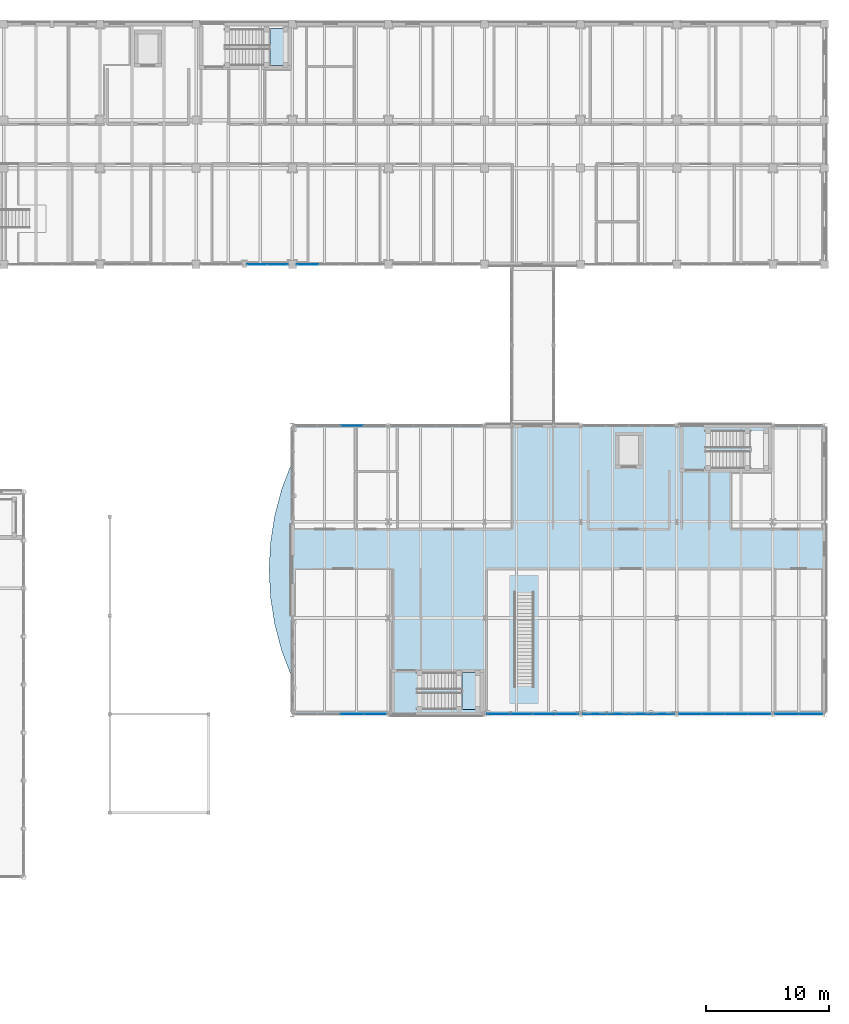
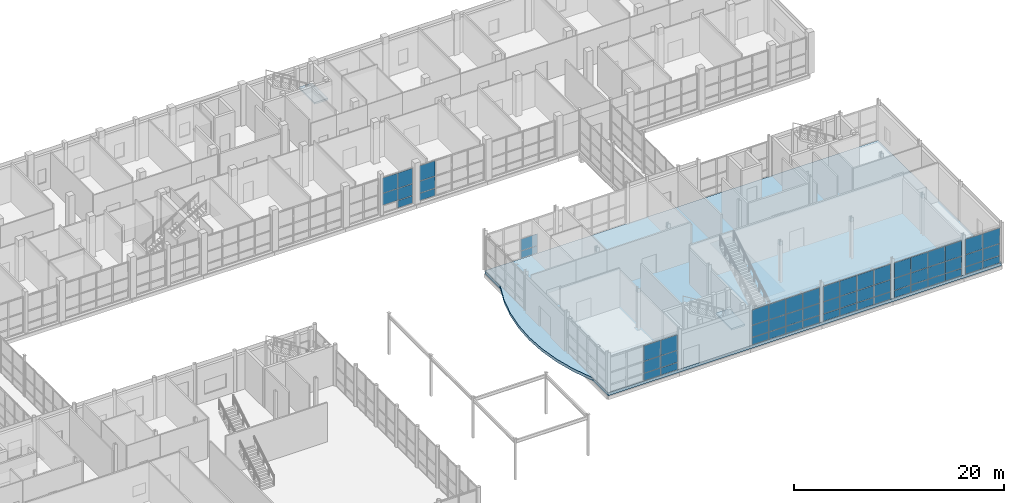
# One storey, part 81 of 131: 58 plates, 3 slabs, 10 elements without a shape of their own.
"""IFC4 building model written with IfcOpenShell, lengths in metres."""

from ifc_helpers import new_model, si_unit, direction, frame, origin, origin_2d, place, context, subcontext, project, spatial, polyline, rectangle, outline, extrude, material, layer, layer_set, type_object, element, aggregate, save


model = new_model("IFC4")

# Units and contexts
model_context = context("Model", 3, precision=1e-05, world=origin(), true_north=direction((0.0, 1.0)))
body_context = subcontext(model_context, "Body", "Model", "MODEL_VIEW")
ifc_project = project(units=[si_unit("LENGTHUNIT", "METRE"), si_unit("AREAUNIT", "SQUARE_METRE"), si_unit("VOLUMEUNIT", "CUBIC_METRE"), si_unit("PLANEANGLEUNIT", "RADIAN"), si_unit("MASSUNIT", "GRAM", prefix="KILO")], contexts=[model_context])

# Site, building, storey
site_placement = place(None, origin())
site = spatial("IfcSite", under=ifc_project, at=site_placement, CompositionType="ELEMENT")
building_placement = place(site_placement, origin())
building = spatial("IfcBuilding", under=site, at=building_placement, Name="Celorna Specialist Clinic", CompositionType="ELEMENT")
storey_placement = place(building_placement, origin())
storey = spatial("IfcBuildingStorey", under=building, at=storey_placement, Name="L00", CompositionType="ELEMENT", Elevation=0.0)

# Curtain wall, plates
ifc_material_1 = material(Name="Thermally broken aluminium and solar-control glass curtain wall", Category="aluminium")
ifc_layer_1 = layer(ifc_material_1, 0.159912109375, Name="Thermally broken aluminium and solar-control glass curtain wall")
ifc_layer_set_1 = layer_set([ifc_layer_1], Name="Thermally broken aluminium and solar-control glass curtain wall")
curtain_wall_type_1 = type_object("IfcCurtainWallType", Name="CW-35", PredefinedType="NOTDEFINED", material=ifc_layer_set_1)
curtain_wall_1_placement = place(storey_placement, origin())
curtain_wall_1 = element("IfcCurtainWall", 1, at=curtain_wall_1_placement, inside=storey, type_object=curtain_wall_type_1, Name="Curtain wall CW-35 #65", PredefinedType="NOTDEFINED")
ifc_material_2 = material(Name="Low-e double glazing", Category="glass")
ifc_layer_2 = layer(ifc_material_2, 0.028076171875, Name="Low-e double glazing")
ifc_layer_set_2 = layer_set([ifc_layer_2], Name="Low-e double glazing")
plate_type_1 = type_object("IfcPlateType", Name="CPN-01", PredefinedType="CURTAIN_PANEL", material=ifc_layer_set_2)
plate_1_placement = place(storey_placement, frame((147.096923828125, 60.0, 0.0498046875), z_axis=(0.0, 0.0, 1.0), x_axis=(-1.0, 0.0, 0.0)))
plate_1 = element("IfcPlate", 2, at=plate_1_placement, type_object=plate_type_1, Name="CW-35 panel 1.1", PredefinedType="CURTAIN_PANEL", context=body_context, shape_type="SweptSolid", body=[
    extrude(rectangle(XDim=1.798095703125, YDim=0.028076171875, at=origin_2d()), origin(), (0.0, 0.0, 1.0), 0.824951171875),
])
plate_2_placement = place(storey_placement, frame((147.096923828125, 60.0, 0.925048828125), z_axis=(0.0, 0.0, 1.0), x_axis=(-1.0, 0.0, 0.0)))
plate_2 = element("IfcPlate", 3, at=plate_2_placement, type_object=plate_type_1, Name="CW-35 panel 1.2", PredefinedType="CURTAIN_PANEL", context=body_context, shape_type="SweptSolid", body=[
    extrude(rectangle(XDim=1.798095703125, YDim=0.028076171875, at=origin_2d()), origin(), (0.0, 0.0, 1.0), 1.35009765625),
])
plate_3_placement = place(storey_placement, frame((147.096923828125, 60.0, 2.3251953125), z_axis=(0.0, 0.0, 1.0), x_axis=(-1.0, 0.0, 0.0)))
plate_3 = element("IfcPlate", 4, at=plate_3_placement, type_object=plate_type_1, Name="CW-35 panel 1.3", PredefinedType="CURTAIN_PANEL", context=body_context, shape_type="SweptSolid", body=[
    extrude(rectangle(XDim=1.798095703125, YDim=0.028076171875, at=origin_2d()), origin(), (0.0, 0.0, 1.0), 1.764892578125),
])
plate_4_placement = place(storey_placement, frame((145.236572265625, 60.0, 0.0498046875), z_axis=(0.0, 0.0, 1.0), x_axis=(-1.0, 0.0, 0.0)))
plate_4 = element("IfcPlate", 5, at=plate_4_placement, type_object=plate_type_1, Name="CW-35 panel 2.1", PredefinedType="CURTAIN_PANEL", context=body_context, shape_type="SweptSolid", body=[
    extrude(rectangle(XDim=1.822998046875, YDim=0.028076171875, at=origin_2d()), origin(), (0.0, 0.0, 1.0), 0.824951171875),
])
plate_5_placement = place(storey_placement, frame((145.236572265625, 60.0, 0.925048828125), z_axis=(0.0, 0.0, 1.0), x_axis=(-1.0, 0.0, 0.0)))
plate_5 = element("IfcPlate", 6, at=plate_5_placement, type_object=plate_type_1, Name="CW-35 panel 2.2", PredefinedType="CURTAIN_PANEL", context=body_context, shape_type="SweptSolid", body=[
    extrude(rectangle(XDim=1.822998046875, YDim=0.028076171875, at=origin_2d()), origin(), (0.0, 0.0, 1.0), 1.35009765625),
])
plate_6_placement = place(storey_placement, frame((145.236572265625, 60.0, 2.3251953125), z_axis=(0.0, 0.0, 1.0), x_axis=(-1.0, 0.0, 0.0)))
plate_6 = element("IfcPlate", 7, at=plate_6_placement, type_object=plate_type_1, Name="CW-35 panel 2.3", PredefinedType="CURTAIN_PANEL", context=body_context, shape_type="SweptSolid", body=[
    extrude(rectangle(XDim=1.822998046875, YDim=0.028076171875, at=origin_2d()), origin(), (0.0, 0.0, 1.0), 1.764892578125),
])
plate_7_placement = place(storey_placement, frame((143.363525390625, 60.0, 0.0498046875), z_axis=(0.0, 0.0, 1.0), x_axis=(-1.0, 0.0, 0.0)))
plate_7 = element("IfcPlate", 8, at=plate_7_placement, type_object=plate_type_1, Name="CW-35 panel 3.1", PredefinedType="CURTAIN_PANEL", context=body_context, shape_type="SweptSolid", body=[
    extrude(rectangle(XDim=1.822998046875, YDim=0.028076171875, at=origin_2d()), origin(), (0.0, 0.0, 1.0), 0.824951171875),
])
plate_8_placement = place(storey_placement, frame((143.363525390625, 60.0, 0.925048828125), z_axis=(0.0, 0.0, 1.0), x_axis=(-1.0, 0.0, 0.0)))
plate_8 = element("IfcPlate", 9, at=plate_8_placement, type_object=plate_type_1, Name="CW-35 panel 3.2", PredefinedType="CURTAIN_PANEL", context=body_context, shape_type="SweptSolid", body=[
    extrude(rectangle(XDim=1.822998046875, YDim=0.028076171875, at=origin_2d()), origin(), (0.0, 0.0, 1.0), 1.35009765625),
])
plate_9_placement = place(storey_placement, frame((143.363525390625, 60.0, 2.3251953125), z_axis=(0.0, 0.0, 1.0), x_axis=(-1.0, 0.0, 0.0)))
plate_9 = element("IfcPlate", 10, at=plate_9_placement, type_object=plate_type_1, Name="CW-35 panel 3.3", PredefinedType="CURTAIN_PANEL", context=body_context, shape_type="SweptSolid", body=[
    extrude(rectangle(XDim=1.822998046875, YDim=0.028076171875, at=origin_2d()), origin(), (0.0, 0.0, 1.0), 1.764892578125),
])
plate_10_placement = place(storey_placement, frame((141.5029296875, 60.0, 0.0498046875), z_axis=(0.0, 0.0, 1.0), x_axis=(-1.0, 0.0, 0.0)))
plate_10 = element("IfcPlate", 11, at=plate_10_placement, type_object=plate_type_1, Name="CW-35 panel 4.1", PredefinedType="CURTAIN_PANEL", context=body_context, shape_type="SweptSolid", body=[
    extrude(rectangle(XDim=1.798095703125, YDim=0.028076171875, at=origin_2d()), origin(), (0.0, 0.0, 1.0), 0.824951171875),
])
plate_11_placement = place(storey_placement, frame((141.5029296875, 60.0, 0.925048828125), z_axis=(0.0, 0.0, 1.0), x_axis=(-1.0, 0.0, 0.0)))
plate_11 = element("IfcPlate", 12, at=plate_11_placement, type_object=plate_type_1, Name="CW-35 panel 4.2", PredefinedType="CURTAIN_PANEL", context=body_context, shape_type="SweptSolid", body=[
    extrude(rectangle(XDim=1.798095703125, YDim=0.028076171875, at=origin_2d()), origin(), (0.0, 0.0, 1.0), 1.35009765625),
])
plate_12_placement = place(storey_placement, frame((141.5029296875, 60.0, 2.3251953125), z_axis=(0.0, 0.0, 1.0), x_axis=(-1.0, 0.0, 0.0)))
plate_12 = element("IfcPlate", 13, at=plate_12_placement, type_object=plate_type_1, Name="CW-35 panel 4.3", PredefinedType="CURTAIN_PANEL", context=body_context, shape_type="SweptSolid", body=[
    extrude(rectangle(XDim=1.798095703125, YDim=0.028076171875, at=origin_2d()), origin(), (0.0, 0.0, 1.0), 1.764892578125),
])
aggregate(curtain_wall_1, [plate_1, plate_2, plate_3, plate_4, plate_5, plate_6, plate_7, plate_8, plate_9, plate_10, plate_11, plate_12])

ifc_layer_3 = layer(ifc_material_1, 0.159912109375, Name="Thermally broken aluminium and solar-control glass curtain wall")
ifc_layer_set_3 = layer_set([ifc_layer_3], Name="Thermally broken aluminium and solar-control glass curtain wall")
curtain_wall_type_2 = type_object("IfcCurtainWallType", Name="CW-37", PredefinedType="NOTDEFINED", material=ifc_layer_set_3)
curtain_wall_2_placement = place(storey_placement, origin())
curtain_wall_2 = element("IfcCurtainWall", 14, at=curtain_wall_2_placement, inside=storey, type_object=curtain_wall_type_2, Name="Curtain wall CW-37 #68", PredefinedType="NOTDEFINED")
plate_13_placement = place(storey_placement, frame((166.860595703125, 60.0, 0.0498046875), z_axis=(0.0, 0.0, 1.0), x_axis=(-1.0, 0.0, 0.0)))
plate_13 = element("IfcPlate", 15, at=plate_13_placement, type_object=plate_type_1, Name="CW-37 panel 1.1", PredefinedType="CURTAIN_PANEL", context=body_context, shape_type="SweptSolid", body=[
    extrude(rectangle(XDim=1.87109375, YDim=0.028076171875, at=origin_2d()), origin(), (0.0, 0.0, 1.0), 0.824951171875),
])
plate_14_placement = place(storey_placement, frame((166.860595703125, 60.0, 0.925048828125), z_axis=(0.0, 0.0, 1.0), x_axis=(-1.0, 0.0, 0.0)))
plate_14 = element("IfcPlate", 16, at=plate_14_placement, type_object=plate_type_1, Name="CW-37 panel 1.2", PredefinedType="CURTAIN_PANEL", context=body_context, shape_type="SweptSolid", body=[
    extrude(rectangle(XDim=1.87109375, YDim=0.028076171875, at=origin_2d()), origin(), (0.0, 0.0, 1.0), 1.35009765625),
])
plate_15_placement = place(storey_placement, frame((166.860595703125, 60.0, 2.3251953125), z_axis=(0.0, 0.0, 1.0), x_axis=(-1.0, 0.0, 0.0)))
plate_15 = element("IfcPlate", 17, at=plate_15_placement, type_object=plate_type_1, Name="CW-37 panel 1.3", PredefinedType="CURTAIN_PANEL", context=body_context, shape_type="SweptSolid", body=[
    extrude(rectangle(XDim=1.87109375, YDim=0.028076171875, at=origin_2d()), origin(), (0.0, 0.0, 1.0), 1.764892578125),
])
plate_16_placement = place(storey_placement, frame((164.939453125, 60.0, 0.0498046875), z_axis=(0.0, 0.0, 1.0), x_axis=(-1.0, 0.0, 0.0)))
plate_16 = element("IfcPlate", 18, at=plate_16_placement, type_object=plate_type_1, Name="CW-37 panel 2.1", PredefinedType="CURTAIN_PANEL", context=body_context, shape_type="SweptSolid", body=[
    extrude(rectangle(XDim=1.87109375, YDim=0.028076171875, at=origin_2d()), origin(), (0.0, 0.0, 1.0), 0.824951171875),
])
plate_17_placement = place(storey_placement, frame((164.939453125, 60.0, 0.925048828125), z_axis=(0.0, 0.0, 1.0), x_axis=(-1.0, 0.0, 0.0)))
plate_17 = element("IfcPlate", 19, at=plate_17_placement, type_object=plate_type_1, Name="CW-37 panel 2.2", PredefinedType="CURTAIN_PANEL", context=body_context, shape_type="SweptSolid", body=[
    extrude(rectangle(XDim=1.87109375, YDim=0.028076171875, at=origin_2d()), origin(), (0.0, 0.0, 1.0), 1.35009765625),
])
plate_18_placement = place(storey_placement, frame((164.939453125, 60.0, 2.3251953125), z_axis=(0.0, 0.0, 1.0), x_axis=(-1.0, 0.0, 0.0)))
plate_18 = element("IfcPlate", 20, at=plate_18_placement, type_object=plate_type_1, Name="CW-37 panel 2.3", PredefinedType="CURTAIN_PANEL", context=body_context, shape_type="SweptSolid", body=[
    extrude(rectangle(XDim=1.87109375, YDim=0.028076171875, at=origin_2d()), origin(), (0.0, 0.0, 1.0), 1.764892578125),
])
aggregate(curtain_wall_2, [plate_13, plate_14, plate_15, plate_16, plate_17, plate_18])

ifc_layer_4 = layer(ifc_material_1, 0.159912109375, Name="Thermally broken aluminium and solar-control glass curtain wall")
ifc_layer_set_4 = layer_set([ifc_layer_4], Name="Thermally broken aluminium and solar-control glass curtain wall")
curtain_wall_type_3 = type_object("IfcCurtainWallType", Name="CW-34", PredefinedType="NOTDEFINED", material=ifc_layer_set_4)
curtain_wall_3_placement = place(storey_placement, origin())
curtain_wall_3 = element("IfcCurtainWall", 21, at=curtain_wall_3_placement, inside=storey, type_object=curtain_wall_type_3, Name="Curtain wall CW-34 #64", PredefinedType="NOTDEFINED")
ifc_material_3 = material(Name="Solar-control triple glazing", Category="glass")
ifc_layer_5 = layer(ifc_material_3, 0.035888671875, Name="Solar-control triple glazing")
ifc_layer_set_5 = layer_set([ifc_layer_5], Name="Solar-control triple glazing")
plate_type_2 = type_object("IfcPlateType", Name="CPN-02", PredefinedType="CURTAIN_PANEL", material=ifc_layer_set_5)
plate_19_placement = place(storey_placement, frame((131.4970703125, 60.0, 0.0498046875), z_axis=(0.0, 0.0, 1.0), x_axis=(-1.0, 0.0, 0.0)))
plate_19 = element("IfcPlate", 22, at=plate_19_placement, type_object=plate_type_2, Name="CW-34 panel 1.1", PredefinedType="CURTAIN_PANEL", context=body_context, shape_type="SweptSolid", body=[
    extrude(rectangle(XDim=1.798095703125, YDim=0.035888671875, at=origin_2d()), origin(), (0.0, 0.0, 1.0), 0.824951171875),
])
plate_20_placement = place(storey_placement, frame((131.4970703125, 60.0, 0.925048828125), z_axis=(0.0, 0.0, 1.0), x_axis=(-1.0, 0.0, 0.0)))
plate_20 = element("IfcPlate", 23, at=plate_20_placement, type_object=plate_type_2, Name="CW-34 panel 1.2", PredefinedType="CURTAIN_PANEL", context=body_context, shape_type="SweptSolid", body=[
    extrude(rectangle(XDim=1.798095703125, YDim=0.035888671875, at=origin_2d()), origin(), (0.0, 0.0, 1.0), 1.35009765625),
])
plate_21_placement = place(storey_placement, frame((131.4970703125, 60.0, 2.3251953125), z_axis=(0.0, 0.0, 1.0), x_axis=(-1.0, 0.0, 0.0)))
plate_21 = element("IfcPlate", 24, at=plate_21_placement, type_object=plate_type_2, Name="CW-34 panel 1.3", PredefinedType="CURTAIN_PANEL", context=body_context, shape_type="SweptSolid", body=[
    extrude(rectangle(XDim=1.798095703125, YDim=0.035888671875, at=origin_2d()), origin(), (0.0, 0.0, 1.0), 1.764892578125),
])
plate_22_placement = place(storey_placement, frame((129.636474609375, 60.0, 0.0498046875), z_axis=(0.0, 0.0, 1.0), x_axis=(-1.0, 0.0, 0.0)))
plate_22 = element("IfcPlate", 25, at=plate_22_placement, type_object=plate_type_2, Name="CW-34 panel 2.1", PredefinedType="CURTAIN_PANEL", context=body_context, shape_type="SweptSolid", body=[
    extrude(rectangle(XDim=1.822998046875, YDim=0.035888671875, at=origin_2d()), origin(), (0.0, 0.0, 1.0), 0.824951171875),
])
plate_23_placement = place(storey_placement, frame((129.636474609375, 60.0, 0.925048828125), z_axis=(0.0, 0.0, 1.0), x_axis=(-1.0, 0.0, 0.0)))
plate_23 = element("IfcPlate", 26, at=plate_23_placement, type_object=plate_type_2, Name="CW-34 panel 2.2", PredefinedType="CURTAIN_PANEL", context=body_context, shape_type="SweptSolid", body=[
    extrude(rectangle(XDim=1.822998046875, YDim=0.035888671875, at=origin_2d()), origin(), (0.0, 0.0, 1.0), 1.35009765625),
])
plate_24_placement = place(storey_placement, frame((129.636474609375, 60.0, 2.3251953125), z_axis=(0.0, 0.0, 1.0), x_axis=(-1.0, 0.0, 0.0)))
plate_24 = element("IfcPlate", 27, at=plate_24_placement, type_object=plate_type_2, Name="CW-34 panel 2.3", PredefinedType="CURTAIN_PANEL", context=body_context, shape_type="SweptSolid", body=[
    extrude(rectangle(XDim=1.822998046875, YDim=0.035888671875, at=origin_2d()), origin(), (0.0, 0.0, 1.0), 1.764892578125),
])
aggregate(curtain_wall_3, [plate_19, plate_20, plate_21, plate_22, plate_23, plate_24])

curtain_wall_4_placement = place(storey_placement, origin())
curtain_wall_4 = element("IfcCurtainWall", 28, at=curtain_wall_4_placement, inside=storey, type_object=curtain_wall_type_3, Name="Curtain wall CW-34 #66", PredefinedType="NOTDEFINED")
plate_25_placement = place(storey_placement, frame((154.89697265625, 60.0, 0.0498046875), z_axis=(0.0, 0.0, 1.0), x_axis=(-1.0, 0.0, 0.0)))
plate_25 = element("IfcPlate", 29, at=plate_25_placement, type_object=plate_type_2, Name="CW-34 panel 1.1", PredefinedType="CURTAIN_PANEL", context=body_context, shape_type="SweptSolid", body=[
    extrude(rectangle(XDim=1.798095703125, YDim=0.035888671875, at=origin_2d()), origin(), (0.0, 0.0, 1.0), 0.824951171875),
])
plate_26_placement = place(storey_placement, frame((154.89697265625, 60.0, 0.925048828125), z_axis=(0.0, 0.0, 1.0), x_axis=(-1.0, 0.0, 0.0)))
plate_26 = element("IfcPlate", 30, at=plate_26_placement, type_object=plate_type_2, Name="CW-34 panel 1.2", PredefinedType="CURTAIN_PANEL", context=body_context, shape_type="SweptSolid", body=[
    extrude(rectangle(XDim=1.798095703125, YDim=0.035888671875, at=origin_2d()), origin(), (0.0, 0.0, 1.0), 1.35009765625),
])
plate_27_placement = place(storey_placement, frame((154.89697265625, 60.0, 2.3251953125), z_axis=(0.0, 0.0, 1.0), x_axis=(-1.0, 0.0, 0.0)))
plate_27 = element("IfcPlate", 31, at=plate_27_placement, type_object=plate_type_2, Name="CW-34 panel 1.3", PredefinedType="CURTAIN_PANEL", context=body_context, shape_type="SweptSolid", body=[
    extrude(rectangle(XDim=1.798095703125, YDim=0.035888671875, at=origin_2d()), origin(), (0.0, 0.0, 1.0), 1.764892578125),
])
plate_28_placement = place(storey_placement, frame((153.03662109375, 60.0, 0.0498046875), z_axis=(0.0, 0.0, 1.0), x_axis=(-1.0, 0.0, 0.0)))
plate_28 = element("IfcPlate", 32, at=plate_28_placement, type_object=plate_type_2, Name="CW-34 panel 2.1", PredefinedType="CURTAIN_PANEL", context=body_context, shape_type="SweptSolid", body=[
    extrude(rectangle(XDim=1.822998046875, YDim=0.035888671875, at=origin_2d()), origin(), (0.0, 0.0, 1.0), 0.824951171875),
])
plate_29_placement = place(storey_placement, frame((153.03662109375, 60.0, 0.925048828125), z_axis=(0.0, 0.0, 1.0), x_axis=(-1.0, 0.0, 0.0)))
plate_29 = element("IfcPlate", 33, at=plate_29_placement, type_object=plate_type_2, Name="CW-34 panel 2.2", PredefinedType="CURTAIN_PANEL", context=body_context, shape_type="SweptSolid", body=[
    extrude(rectangle(XDim=1.822998046875, YDim=0.035888671875, at=origin_2d()), origin(), (0.0, 0.0, 1.0), 1.35009765625),
])
plate_30_placement = place(storey_placement, frame((153.03662109375, 60.0, 2.3251953125), z_axis=(0.0, 0.0, 1.0), x_axis=(-1.0, 0.0, 0.0)))
plate_30 = element("IfcPlate", 34, at=plate_30_placement, type_object=plate_type_2, Name="CW-34 panel 2.3", PredefinedType="CURTAIN_PANEL", context=body_context, shape_type="SweptSolid", body=[
    extrude(rectangle(XDim=1.822998046875, YDim=0.035888671875, at=origin_2d()), origin(), (0.0, 0.0, 1.0), 1.764892578125),
])
plate_31_placement = place(storey_placement, frame((151.16357421875, 60.0, 0.0498046875), z_axis=(0.0, 0.0, 1.0), x_axis=(-1.0, 0.0, 0.0)))
plate_31 = element("IfcPlate", 35, at=plate_31_placement, type_object=plate_type_2, Name="CW-34 panel 3.1", PredefinedType="CURTAIN_PANEL", context=body_context, shape_type="SweptSolid", body=[
    extrude(rectangle(XDim=1.822998046875, YDim=0.035888671875, at=origin_2d()), origin(), (0.0, 0.0, 1.0), 0.824951171875),
])
plate_32_placement = place(storey_placement, frame((151.16357421875, 60.0, 0.925048828125), z_axis=(0.0, 0.0, 1.0), x_axis=(-1.0, 0.0, 0.0)))
plate_32 = element("IfcPlate", 36, at=plate_32_placement, type_object=plate_type_2, Name="CW-34 panel 3.2", PredefinedType="CURTAIN_PANEL", context=body_context, shape_type="SweptSolid", body=[
    extrude(rectangle(XDim=1.822998046875, YDim=0.035888671875, at=origin_2d()), origin(), (0.0, 0.0, 1.0), 1.35009765625),
])
plate_33_placement = place(storey_placement, frame((151.16357421875, 60.0, 2.3251953125), z_axis=(0.0, 0.0, 1.0), x_axis=(-1.0, 0.0, 0.0)))
plate_33 = element("IfcPlate", 37, at=plate_33_placement, type_object=plate_type_2, Name="CW-34 panel 3.3", PredefinedType="CURTAIN_PANEL", context=body_context, shape_type="SweptSolid", body=[
    extrude(rectangle(XDim=1.822998046875, YDim=0.035888671875, at=origin_2d()), origin(), (0.0, 0.0, 1.0), 1.764892578125),
])
plate_34_placement = place(storey_placement, frame((149.302978515625, 60.0, 0.0498046875), z_axis=(0.0, 0.0, 1.0), x_axis=(-1.0, 0.0, 0.0)))
plate_34 = element("IfcPlate", 38, at=plate_34_placement, type_object=plate_type_2, Name="CW-34 panel 4.1", PredefinedType="CURTAIN_PANEL", context=body_context, shape_type="SweptSolid", body=[
    extrude(rectangle(XDim=1.798095703125, YDim=0.035888671875, at=origin_2d()), origin(), (0.0, 0.0, 1.0), 0.824951171875),
])
plate_35_placement = place(storey_placement, frame((149.302978515625, 60.0, 0.925048828125), z_axis=(0.0, 0.0, 1.0), x_axis=(-1.0, 0.0, 0.0)))
plate_35 = element("IfcPlate", 39, at=plate_35_placement, type_object=plate_type_2, Name="CW-34 panel 4.2", PredefinedType="CURTAIN_PANEL", context=body_context, shape_type="SweptSolid", body=[
    extrude(rectangle(XDim=1.798095703125, YDim=0.035888671875, at=origin_2d()), origin(), (0.0, 0.0, 1.0), 1.35009765625),
])
plate_36_placement = place(storey_placement, frame((149.302978515625, 60.0, 2.3251953125), z_axis=(0.0, 0.0, 1.0), x_axis=(-1.0, 0.0, 0.0)))
plate_36 = element("IfcPlate", 40, at=plate_36_placement, type_object=plate_type_2, Name="CW-34 panel 4.3", PredefinedType="CURTAIN_PANEL", context=body_context, shape_type="SweptSolid", body=[
    extrude(rectangle(XDim=1.798095703125, YDim=0.035888671875, at=origin_2d()), origin(), (0.0, 0.0, 1.0), 1.764892578125),
])
aggregate(curtain_wall_4, [plate_25, plate_26, plate_27, plate_28, plate_29, plate_30, plate_31, plate_32, plate_33, plate_34, plate_35, plate_36])

curtain_wall_5_placement = place(storey_placement, origin())
curtain_wall_5 = element("IfcCurtainWall", 41, at=curtain_wall_5_placement, inside=storey, type_object=curtain_wall_type_3, Name="Curtain wall CW-34 #69", PredefinedType="NOTDEFINED")
plate_37_placement = place(storey_placement, frame((129.636474609375, 83.39990234375, 0.0498046875), z_axis=(0.0, 0.0, 1.0), x_axis=(1.0, 0.0, 0.0)))
plate_37 = element("IfcPlate", 42, at=plate_37_placement, type_object=plate_type_2, Name="CW-34 panel 3.1", PredefinedType="CURTAIN_PANEL", context=body_context, shape_type="SweptSolid", body=[
    extrude(rectangle(XDim=1.822998046875, YDim=0.035888671875, at=origin_2d()), origin(), (0.0, 0.0, 1.0), 0.824951171875),
])
plate_38_placement = place(storey_placement, frame((129.636474609375, 83.39990234375, 0.925048828125), z_axis=(0.0, 0.0, 1.0), x_axis=(1.0, 0.0, 0.0)))
plate_38 = element("IfcPlate", 43, at=plate_38_placement, type_object=plate_type_2, Name="CW-34 panel 3.2", PredefinedType="CURTAIN_PANEL", context=body_context, shape_type="SweptSolid", body=[
    extrude(rectangle(XDim=1.822998046875, YDim=0.035888671875, at=origin_2d()), origin(), (0.0, 0.0, 1.0), 1.35009765625),
])
aggregate(curtain_wall_5, [plate_37, plate_38])

ifc_layer_6 = layer(ifc_material_1, 0.159912109375, Name="Thermally broken aluminium and solar-control glass curtain wall")
ifc_layer_set_6 = layer_set([ifc_layer_6], Name="Thermally broken aluminium and solar-control glass curtain wall")
curtain_wall_type_4 = type_object("IfcCurtainWallType", Name="CW-46", PredefinedType="NOTDEFINED", material=ifc_layer_set_6)
curtain_wall_6_placement = place(storey_placement, origin())
curtain_wall_6 = element("IfcCurtainWall", 44, at=curtain_wall_6_placement, inside=storey, type_object=curtain_wall_type_4, Name="Curtain wall CW-46 #97", PredefinedType="NOTDEFINED")
plate_39_placement = place(storey_placement, frame((123.610595703125, 96.5, 0.0498046875), z_axis=(0.0, 0.0, 1.0), x_axis=(-1.0, 0.0, 0.0)))
plate_39 = element("IfcPlate", 45, at=plate_39_placement, type_object=plate_type_2, Name="CW-46 panel 1.1", PredefinedType="CURTAIN_PANEL", context=body_context, shape_type="SweptSolid", body=[
    extrude(rectangle(XDim=1.62109375, YDim=0.035888671875, at=origin_2d()), origin(), (0.0, 0.0, 1.0), 0.824951171875),
])
plate_40_placement = place(storey_placement, frame((123.610595703125, 96.5, 0.925048828125), z_axis=(0.0, 0.0, 1.0), x_axis=(-1.0, 0.0, 0.0)))
plate_40 = element("IfcPlate", 46, at=plate_40_placement, type_object=plate_type_2, Name="CW-46 panel 1.2", PredefinedType="CURTAIN_PANEL", context=body_context, shape_type="SweptSolid", body=[
    extrude(rectangle(XDim=1.62109375, YDim=0.035888671875, at=origin_2d()), origin(), (0.0, 0.0, 1.0), 1.35009765625),
])
plate_41_placement = place(storey_placement, frame((123.610595703125, 96.5, 2.3251953125), z_axis=(0.0, 0.0, 1.0), x_axis=(-1.0, 0.0, 0.0)))
plate_41 = element("IfcPlate", 47, at=plate_41_placement, type_object=plate_type_2, Name="CW-46 panel 1.3", PredefinedType="CURTAIN_PANEL", context=body_context, shape_type="SweptSolid", body=[
    extrude(rectangle(XDim=1.62109375, YDim=0.035888671875, at=origin_2d()), origin(), (0.0, 0.0, 1.0), 1.764892578125),
])
plate_42_placement = place(storey_placement, frame((121.939453125, 96.5, 0.925048828125), z_axis=(0.0, 0.0, 1.0), x_axis=(-1.0, 0.0, 0.0)))
plate_42 = element("IfcPlate", 48, at=plate_42_placement, type_object=plate_type_2, Name="CW-46 panel 2.2", PredefinedType="CURTAIN_PANEL", context=body_context, shape_type="SweptSolid", body=[
    extrude(rectangle(XDim=1.62109375, YDim=0.035888671875, at=origin_2d()), origin(), (0.0, 0.0, 1.0), 1.35009765625),
])
plate_43_placement = place(storey_placement, frame((121.939453125, 96.5, 2.3251953125), z_axis=(0.0, 0.0, 1.0), x_axis=(-1.0, 0.0, 0.0)))
plate_43 = element("IfcPlate", 49, at=plate_43_placement, type_object=plate_type_2, Name="CW-46 panel 2.3", PredefinedType="CURTAIN_PANEL", context=body_context, shape_type="SweptSolid", body=[
    extrude(rectangle(XDim=1.62109375, YDim=0.035888671875, at=origin_2d()), origin(), (0.0, 0.0, 1.0), 1.764892578125),
])
aggregate(curtain_wall_6, [plate_39, plate_40, plate_41, plate_42, plate_43])

ifc_layer_7 = layer(ifc_material_1, 0.159912109375, Name="Thermally broken aluminium and solar-control glass curtain wall")
ifc_layer_set_7 = layer_set([ifc_layer_7], Name="Thermally broken aluminium and solar-control glass curtain wall")
curtain_wall_type_5 = type_object("IfcCurtainWallType", Name="CW-36", PredefinedType="NOTDEFINED", material=ifc_layer_set_7)
curtain_wall_7_placement = place(storey_placement, origin())
curtain_wall_7 = element("IfcCurtainWall", 50, at=curtain_wall_7_placement, inside=storey, type_object=curtain_wall_type_5, Name="Curtain wall CW-36 #67", PredefinedType="NOTDEFINED")
ifc_material_4 = material(Name="Glazed polychrome ceramic insulated spandrel")
ifc_layer_8 = layer(ifc_material_4, 0.0439453125, Name="Glazed polychrome ceramic insulated spandrel")
ifc_layer_set_8 = layer_set([ifc_layer_8], Name="Glazed polychrome ceramic insulated spandrel")
plate_type_3 = type_object("IfcPlateType", Name="CPN-03", PredefinedType="CURTAIN_PANEL", material=ifc_layer_set_8)
plate_44_placement = place(storey_placement, frame((162.697021484375, 60.0, 0.0498046875), z_axis=(0.0, 0.0, 1.0), x_axis=(-1.0, 0.0, 0.0)))
plate_44 = element("IfcPlate", 51, at=plate_44_placement, type_object=plate_type_3, Name="CW-36 panel 1.1", PredefinedType="CURTAIN_PANEL", context=body_context, shape_type="SweptSolid", body=[
    extrude(rectangle(XDim=1.798095703125, YDim=0.0439453125, at=origin_2d()), origin(), (0.0, 0.0, 1.0), 0.824951171875),
])
plate_45_placement = place(storey_placement, frame((162.697021484375, 60.0, 0.925048828125), z_axis=(0.0, 0.0, 1.0), x_axis=(-1.0, 0.0, 0.0)))
plate_45 = element("IfcPlate", 52, at=plate_45_placement, type_object=plate_type_3, Name="CW-36 panel 1.2", PredefinedType="CURTAIN_PANEL", context=body_context, shape_type="SweptSolid", body=[
    extrude(rectangle(XDim=1.798095703125, YDim=0.0439453125, at=origin_2d()), origin(), (0.0, 0.0, 1.0), 1.35009765625),
])
plate_46_placement = place(storey_placement, frame((162.697021484375, 60.0, 2.3251953125), z_axis=(0.0, 0.0, 1.0), x_axis=(-1.0, 0.0, 0.0)))
plate_46 = element("IfcPlate", 53, at=plate_46_placement, type_object=plate_type_3, Name="CW-36 panel 1.3", PredefinedType="CURTAIN_PANEL", context=body_context, shape_type="SweptSolid", body=[
    extrude(rectangle(XDim=1.798095703125, YDim=0.0439453125, at=origin_2d()), origin(), (0.0, 0.0, 1.0), 1.764892578125),
])
plate_47_placement = place(storey_placement, frame((160.83642578125, 60.0, 0.0498046875), z_axis=(0.0, 0.0, 1.0), x_axis=(-1.0, 0.0, 0.0)))
plate_47 = element("IfcPlate", 54, at=plate_47_placement, type_object=plate_type_3, Name="CW-36 panel 2.1", PredefinedType="CURTAIN_PANEL", context=body_context, shape_type="SweptSolid", body=[
    extrude(rectangle(XDim=1.822998046875, YDim=0.0439453125, at=origin_2d()), origin(), (0.0, 0.0, 1.0), 0.824951171875),
])
plate_48_placement = place(storey_placement, frame((160.83642578125, 60.0, 0.925048828125), z_axis=(0.0, 0.0, 1.0), x_axis=(-1.0, 0.0, 0.0)))
plate_48 = element("IfcPlate", 55, at=plate_48_placement, type_object=plate_type_3, Name="CW-36 panel 2.2", PredefinedType="CURTAIN_PANEL", context=body_context, shape_type="SweptSolid", body=[
    extrude(rectangle(XDim=1.822998046875, YDim=0.0439453125, at=origin_2d()), origin(), (0.0, 0.0, 1.0), 1.35009765625),
])
plate_49_placement = place(storey_placement, frame((160.83642578125, 60.0, 2.3251953125), z_axis=(0.0, 0.0, 1.0), x_axis=(-1.0, 0.0, 0.0)))
plate_49 = element("IfcPlate", 56, at=plate_49_placement, type_object=plate_type_3, Name="CW-36 panel 2.3", PredefinedType="CURTAIN_PANEL", context=body_context, shape_type="SweptSolid", body=[
    extrude(rectangle(XDim=1.822998046875, YDim=0.0439453125, at=origin_2d()), origin(), (0.0, 0.0, 1.0), 1.764892578125),
])
plate_50_placement = place(storey_placement, frame((158.96337890625, 60.0, 0.0498046875), z_axis=(0.0, 0.0, 1.0), x_axis=(-1.0, 0.0, 0.0)))
plate_50 = element("IfcPlate", 57, at=plate_50_placement, type_object=plate_type_3, Name="CW-36 panel 3.1", PredefinedType="CURTAIN_PANEL", context=body_context, shape_type="SweptSolid", body=[
    extrude(rectangle(XDim=1.822998046875, YDim=0.0439453125, at=origin_2d()), origin(), (0.0, 0.0, 1.0), 0.824951171875),
])
plate_51_placement = place(storey_placement, frame((158.96337890625, 60.0, 0.925048828125), z_axis=(0.0, 0.0, 1.0), x_axis=(-1.0, 0.0, 0.0)))
plate_51 = element("IfcPlate", 58, at=plate_51_placement, type_object=plate_type_3, Name="CW-36 panel 3.2", PredefinedType="CURTAIN_PANEL", context=body_context, shape_type="SweptSolid", body=[
    extrude(rectangle(XDim=1.822998046875, YDim=0.0439453125, at=origin_2d()), origin(), (0.0, 0.0, 1.0), 1.35009765625),
])
plate_52_placement = place(storey_placement, frame((158.96337890625, 60.0, 2.3251953125), z_axis=(0.0, 0.0, 1.0), x_axis=(-1.0, 0.0, 0.0)))
plate_52 = element("IfcPlate", 59, at=plate_52_placement, type_object=plate_type_3, Name="CW-36 panel 3.3", PredefinedType="CURTAIN_PANEL", context=body_context, shape_type="SweptSolid", body=[
    extrude(rectangle(XDim=1.822998046875, YDim=0.0439453125, at=origin_2d()), origin(), (0.0, 0.0, 1.0), 1.764892578125),
])
plate_53_placement = place(storey_placement, frame((157.10302734375, 60.0, 0.0498046875), z_axis=(0.0, 0.0, 1.0), x_axis=(-1.0, 0.0, 0.0)))
plate_53 = element("IfcPlate", 60, at=plate_53_placement, type_object=plate_type_3, Name="CW-36 panel 4.1", PredefinedType="CURTAIN_PANEL", context=body_context, shape_type="SweptSolid", body=[
    extrude(rectangle(XDim=1.798095703125, YDim=0.0439453125, at=origin_2d()), origin(), (0.0, 0.0, 1.0), 0.824951171875),
])
plate_54_placement = place(storey_placement, frame((157.10302734375, 60.0, 0.925048828125), z_axis=(0.0, 0.0, 1.0), x_axis=(-1.0, 0.0, 0.0)))
plate_54 = element("IfcPlate", 61, at=plate_54_placement, type_object=plate_type_3, Name="CW-36 panel 4.2", PredefinedType="CURTAIN_PANEL", context=body_context, shape_type="SweptSolid", body=[
    extrude(rectangle(XDim=1.798095703125, YDim=0.0439453125, at=origin_2d()), origin(), (0.0, 0.0, 1.0), 1.35009765625),
])
plate_55_placement = place(storey_placement, frame((157.10302734375, 60.0, 2.3251953125), z_axis=(0.0, 0.0, 1.0), x_axis=(-1.0, 0.0, 0.0)))
plate_55 = element("IfcPlate", 62, at=plate_55_placement, type_object=plate_type_3, Name="CW-36 panel 4.3", PredefinedType="CURTAIN_PANEL", context=body_context, shape_type="SweptSolid", body=[
    extrude(rectangle(XDim=1.798095703125, YDim=0.0439453125, at=origin_2d()), origin(), (0.0, 0.0, 1.0), 1.764892578125),
])
aggregate(curtain_wall_7, [plate_44, plate_45, plate_46, plate_47, plate_48, plate_49, plate_50, plate_51, plate_52, plate_53, plate_54, plate_55])

ifc_layer_9 = layer(ifc_material_1, 0.159912109375, Name="Thermally broken aluminium and solar-control glass curtain wall")
ifc_layer_set_9 = layer_set([ifc_layer_9], Name="Thermally broken aluminium and solar-control glass curtain wall")
curtain_wall_type_6 = type_object("IfcCurtainWallType", Name="CW-47", PredefinedType="NOTDEFINED", material=ifc_layer_set_9)
curtain_wall_8_placement = place(storey_placement, origin())
curtain_wall_8 = element("IfcCurtainWall", 63, at=curtain_wall_8_placement, inside=storey, type_object=curtain_wall_type_6, Name="Curtain wall CW-47 #99", PredefinedType="NOTDEFINED")
plate_56_placement = place(storey_placement, frame((126.0341796875, 96.5, 0.0498046875), z_axis=(0.0, 0.0, 1.0), x_axis=(-1.0, 0.0, 0.0)))
plate_56 = element("IfcPlate", 64, at=plate_56_placement, type_object=plate_type_3, Name="CW-47 panel 4.1", PredefinedType="CURTAIN_PANEL", context=body_context, shape_type="SweptSolid", body=[
    extrude(rectangle(XDim=1.71044921875, YDim=0.0439453125, at=origin_2d()), origin(), (0.0, 0.0, 1.0), 0.824951171875),
])
plate_57_placement = place(storey_placement, frame((126.0341796875, 96.5, 0.925048828125), z_axis=(0.0, 0.0, 1.0), x_axis=(-1.0, 0.0, 0.0)))
plate_57 = element("IfcPlate", 65, at=plate_57_placement, type_object=plate_type_3, Name="CW-47 panel 4.2", PredefinedType="CURTAIN_PANEL", context=body_context, shape_type="SweptSolid", body=[
    extrude(rectangle(XDim=1.71044921875, YDim=0.0439453125, at=origin_2d()), origin(), (0.0, 0.0, 1.0), 1.35009765625),
])
plate_58_placement = place(storey_placement, frame((126.0341796875, 96.5, 2.3251953125), z_axis=(0.0, 0.0, 1.0), x_axis=(-1.0, 0.0, 0.0)))
plate_58 = element("IfcPlate", 66, at=plate_58_placement, type_object=plate_type_3, Name="CW-47 panel 4.3", PredefinedType="CURTAIN_PANEL", context=body_context, shape_type="SweptSolid", body=[
    extrude(rectangle(XDim=1.71044921875, YDim=0.0439453125, at=origin_2d()), origin(), (0.0, 0.0, 1.0), 1.764892578125),
])
aggregate(curtain_wall_8, [plate_56, plate_57, plate_58])

# Slab
ifc_material_5 = material(Name="Concrete C35/45", Category="concrete")
ifc_layer_10 = layer(ifc_material_5, 0.340087890625, Name="Concrete C35/45")
ifc_layer_set_10 = layer_set([ifc_layer_10], Name="Concrete C35/45")
slab_type_1 = type_object("IfcSlabType", Name="SL-05", PredefinedType="FLOOR", material=ifc_layer_set_10)
slab_1_placement = place(storey_placement, frame((0.0, 0.0, -0.340087890625)))
element("IfcSlab", 67, at=slab_1_placement, inside=storey, type_object=slab_type_1, Name="V3 L00 structural slab SL-05", PredefinedType="FLOOR", context=body_context, shape_type="SweptSolid", body=[
    extrude(outline(polyline([(123.95458984375, 65.10009765625), (123.37158203125, 67.300048828125), (123.029296875, 69.5), (122.91650390625, 71.699951171875), (123.029296875, 73.89990234375), (123.37158203125, 76.10009765625), (123.95458984375, 78.300048828125), (124.800048828125, 80.5), (124.800048828125, 83.39990234375), (168.0, 83.39990234375), (168.0, 60.0), (124.800048828125, 60.0), (124.800048828125, 62.89990234375), (123.95458984375, 65.10009765625)])), origin(), (0.0, 0.0, 1.0), 0.340087890625),
])

# Stair, slab
stair_type = type_object("IfcStairType", Name="ST-03", PredefinedType="HALF_TURN_STAIR", material=ifc_material_5)
stair_1_placement = place(storey_placement, origin())
stair_1 = element("IfcStair", 68, at=stair_1_placement, inside=storey, type_object=stair_type, Name="L00 Protected exit stair ST-03", PredefinedType="HALF_TURN_STAIR")
ifc_layer_11 = layer(ifc_material_5, 0.199951171875, Name="Concrete C35/45")
ifc_layer_set_11 = layer_set([ifc_layer_11], Name="Concrete C35/45")
slab_type_2 = type_object("IfcSlabType", Name="SL-11", PredefinedType="LANDING", material=ifc_layer_set_11)
slab_2_placement = place(storey_placement, frame((0.0, 0.0, 2.199951171875)))
slab_2 = element("IfcSlab", 69, at=slab_2_placement, type_object=slab_type_2, Name="ST-03 landing 1", PredefinedType="LANDING", context=body_context, shape_type="SweptSolid", body=[
    extrude(outline(polyline([(122.97998046875, 112.6201171875), (124.43994140625, 112.6201171875), (124.43994140625, 115.6201171875), (122.97998046875, 115.6201171875), (122.97998046875, 112.6201171875)])), origin(), (0.0, 0.0, 1.0), 0.199951171875),
])
aggregate(stair_1, [slab_2])

stair_2_placement = place(storey_placement, origin())
stair_2 = element("IfcStair", 70, at=stair_2_placement, inside=storey, type_object=stair_type, Name="L00 Protected exit stair ST-13", PredefinedType="HALF_TURN_STAIR")
slab_3_placement = place(storey_placement, frame((0.0, 0.0, 2.199951171875)))
slab_3 = element("IfcSlab", 71, at=slab_3_placement, type_object=slab_type_2, Name="ST-13 landing 1", PredefinedType="LANDING", context=body_context, shape_type="SweptSolid", body=[
    extrude(outline(polyline([(138.580078125, 60.3798828125), (140.0400390625, 60.3798828125), (140.0400390625, 63.3798828125), (138.580078125, 63.3798828125), (138.580078125, 60.3798828125)])), origin(), (0.0, 0.0, 1.0), 0.199951171875),
])
aggregate(stair_2, [slab_3])

save(model, "model.ifc")
